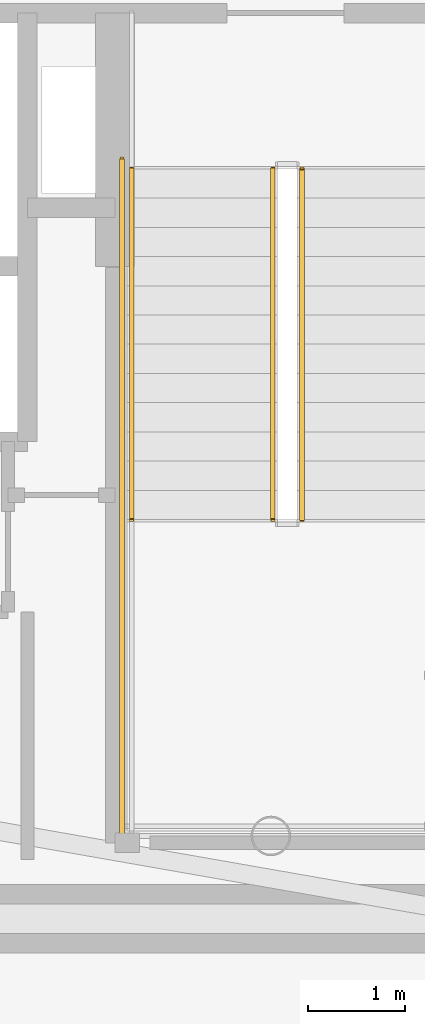
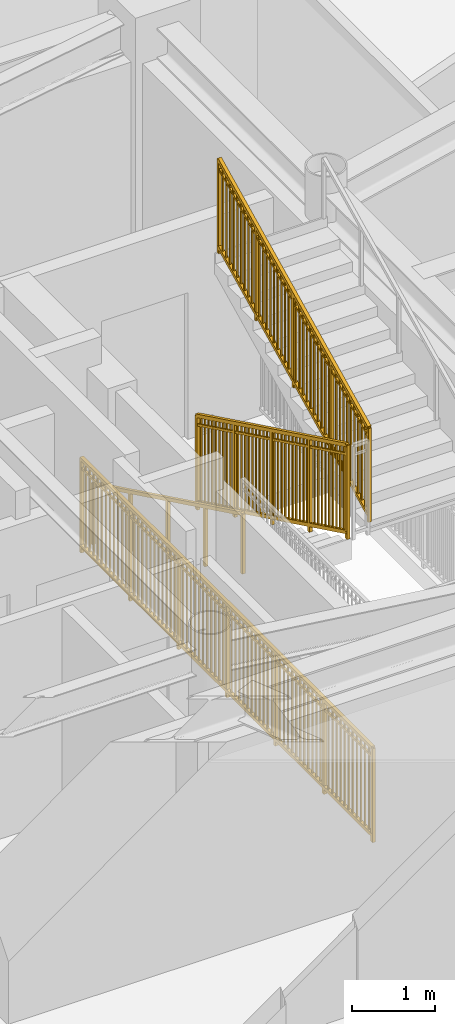
# One storey, part 13 of 17: 4 railings.
"""IFC4 building model written with IfcOpenShell, lengths in metres."""

from ifc_helpers import new_model, si_unit, direction, frame, origin, origin_2d, place, context, subcontext, project, spatial, rectangle, extrude, source, transform, mapped, material, type_object, element, save


model = new_model("IFC4")

# Units and contexts
model_context = context("Model", 3, precision=1e-05, world=origin(), true_north=direction((0.0, 1.0)))
body_context = subcontext(model_context, "Body", "Model", "MODEL_VIEW")
ifc_project = project(units=[si_unit("LENGTHUNIT", "METRE"), si_unit("AREAUNIT", "SQUARE_METRE"), si_unit("VOLUMEUNIT", "CUBIC_METRE"), si_unit("PLANEANGLEUNIT", "RADIAN"), si_unit("MASSUNIT", "GRAM", prefix="KILO")], contexts=[model_context])

# Site, building, storey
site_placement = place(None, origin())
site = spatial("IfcSite", under=ifc_project, at=site_placement, CompositionType="ELEMENT")
building_placement = place(site_placement, origin())
building = spatial("IfcBuilding", under=site, at=building_placement, Name="Linh Dai School and Residence Tower", CompositionType="ELEMENT")
storey_placement = place(building_placement, frame((0.0, 0.0, 324.0)))
storey = spatial("IfcBuildingStorey", under=building, at=storey_placement, Name="L80", CompositionType="ELEMENT", Elevation=324.0)

# Railings
ifc_material_1 = material(Name="Structural Steel S355JR", Category="steel")
railing_type_1 = type_object("IfcRailingType", Name="RL-ST-GUARD-1400", PredefinedType="GUARDRAIL", material=ifc_material_1)
shared_shape_1 = source(origin(), body_context, "Body", "SweptSolid", [
    extrude(rectangle(XDim=0.048095703125, YDim=0.048095703125, at=origin_2d()), frame((0.0, 0.0, 1.3759765625), z_axis=(0.0, 0.898988637874, 0.437971949985), x_axis=(-1.0, 0.0, 0.0)), (0.0, 0.0, 1.0), 4.004638671875),
    extrude(rectangle(XDim=0.048095703125, YDim=0.048095703125, at=origin_2d()), frame((0.0, 0.0, 0.10009765625), z_axis=(0.0, 0.898988637874, 0.437971949985), x_axis=(-1.0, 0.0, 0.0)), (0.0, 0.0, 1.0), 4.004638671875),
    extrude(rectangle(XDim=0.030029296875, YDim=0.030029296875, at=origin_2d()), frame((0.0, 0.0, 1.239990234375), z_axis=(0.0, 0.898988637874, 0.437971949985), x_axis=(-1.0, 0.0, 0.0)), (0.0, 0.0, 1.0), 4.004638671875),
    extrude(rectangle(XDim=0.02001953125, YDim=0.02001953125, at=origin_2d()), frame((0.0, 0.087890625, 0.142822265625)), (0.0, 0.0, 1.0), 1.251708984375),
    extrude(rectangle(XDim=0.02001953125, YDim=0.02001953125, at=origin_2d()), frame((0.0, 0.175537109375, 0.185546875)), (0.0, 0.0, 1.0), 1.251708984375),
    extrude(rectangle(XDim=0.02001953125, YDim=0.02001953125, at=origin_2d()), frame((0.0, 0.263427734375, 0.228515625)), (0.0, 0.0, 1.0), 1.251708984375),
    extrude(rectangle(XDim=0.02001953125, YDim=0.02001953125, at=origin_2d()), frame((0.0, 0.351318359375, 0.271240234375)), (0.0, 0.0, 1.0), 1.251708984375),
    extrude(rectangle(XDim=0.02001953125, YDim=0.02001953125, at=origin_2d()), frame((0.0, 0.43896484375, 0.31396484375)), (0.0, 0.0, 1.0), 1.251708984375),
    extrude(rectangle(XDim=0.02001953125, YDim=0.02001953125, at=origin_2d()), frame((0.0, 0.52685546875, 0.356689453125)), (0.0, 0.0, 1.0), 1.251708984375),
    extrude(rectangle(XDim=0.02001953125, YDim=0.02001953125, at=origin_2d()), frame((0.0, 0.61474609375, 0.399658203125)), (0.0, 0.0, 1.0), 1.251708984375),
    extrude(rectangle(XDim=0.02001953125, YDim=0.02001953125, at=origin_2d()), frame((0.0, 0.702392578125, 0.4423828125)), (0.0, 0.0, 1.0), 1.251708984375),
    extrude(rectangle(XDim=0.02001953125, YDim=0.02001953125, at=origin_2d()), frame((0.0, 0.790283203125, 0.485107421875)), (0.0, 0.0, 1.0), 1.251708984375),
    extrude(rectangle(XDim=0.02001953125, YDim=0.02001953125, at=origin_2d()), frame((0.0, 0.9658203125, 0.570556640625)), (0.0, 0.0, 1.0), 1.251708984375),
    extrude(rectangle(XDim=0.02001953125, YDim=0.02001953125, at=origin_2d()), frame((0.0, 1.0537109375, 0.613525390625)), (0.0, 0.0, 1.0), 1.251708984375),
    extrude(rectangle(XDim=0.02001953125, YDim=0.02001953125, at=origin_2d()), frame((0.0, 1.1416015625, 0.65625)), (0.0, 0.0, 1.0), 1.251708984375),
    extrude(rectangle(XDim=0.02001953125, YDim=0.02001953125, at=origin_2d()), frame((0.0, 1.229248046875, 0.698974609375)), (0.0, 0.0, 1.0), 1.251708984375),
    extrude(rectangle(XDim=0.02001953125, YDim=0.02001953125, at=origin_2d()), frame((0.0, 1.317138671875, 0.74169921875)), (0.0, 0.0, 1.0), 1.251708984375),
    extrude(rectangle(XDim=0.02001953125, YDim=0.02001953125, at=origin_2d()), frame((0.0, 1.405029296875, 0.78466796875)), (0.0, 0.0, 1.0), 1.251708984375),
    extrude(rectangle(XDim=0.02001953125, YDim=0.02001953125, at=origin_2d()), frame((0.0, 1.49267578125, 0.827392578125)), (0.0, 0.0, 1.0), 1.251708984375),
    extrude(rectangle(XDim=0.02001953125, YDim=0.02001953125, at=origin_2d()), frame((0.0, 1.58056640625, 0.8701171875)), (0.0, 0.0, 1.0), 1.251708984375),
    extrude(rectangle(XDim=0.02001953125, YDim=0.02001953125, at=origin_2d()), frame((0.0, 1.66845703125, 0.912841796875)), (0.0, 0.0, 1.0), 1.251708984375),
    extrude(rectangle(XDim=0.02001953125, YDim=0.02001953125, at=origin_2d()), frame((0.0, 1.756103515625, 0.95556640625)), (0.0, 0.0, 1.0), 1.251708984375),
    extrude(rectangle(XDim=0.02001953125, YDim=0.02001953125, at=origin_2d()), frame((0.0, 1.843994140625, 0.99853515625)), (0.0, 0.0, 1.0), 1.251708984375),
    extrude(rectangle(XDim=0.02001953125, YDim=0.02001953125, at=origin_2d()), frame((0.0, 1.931640625, 1.041259765625)), (0.0, 0.0, 1.0), 1.251708984375),
    extrude(rectangle(XDim=0.02001953125, YDim=0.02001953125, at=origin_2d()), frame((0.0, 2.01953125, 1.083984375)), (0.0, 0.0, 1.0), 1.251708984375),
    extrude(rectangle(XDim=0.02001953125, YDim=0.02001953125, at=origin_2d()), frame((0.0, 2.107421875, 1.126708984375)), (0.0, 0.0, 1.0), 1.251708984375),
    extrude(rectangle(XDim=0.02001953125, YDim=0.02001953125, at=origin_2d()), frame((0.0, 2.195068359375, 1.16943359375)), (0.0, 0.0, 1.0), 1.251708984375),
    extrude(rectangle(XDim=0.02001953125, YDim=0.02001953125, at=origin_2d()), frame((0.0, 2.282958984375, 1.21240234375)), (0.0, 0.0, 1.0), 1.251708984375),
    extrude(rectangle(XDim=0.02001953125, YDim=0.02001953125, at=origin_2d()), frame((0.0, 2.370849609375, 1.255126953125)), (0.0, 0.0, 1.0), 1.251708984375),
    extrude(rectangle(XDim=0.02001953125, YDim=0.02001953125, at=origin_2d()), frame((0.0, 2.45849609375, 1.2978515625)), (0.0, 0.0, 1.0), 1.251708984375),
    extrude(rectangle(XDim=0.02001953125, YDim=0.02001953125, at=origin_2d()), frame((0.0, 2.54638671875, 1.340576171875)), (0.0, 0.0, 1.0), 1.251708984375),
    extrude(rectangle(XDim=0.02001953125, YDim=0.02001953125, at=origin_2d()), frame((0.0, 2.63427734375, 1.383544921875)), (0.0, 0.0, 1.0), 1.251708984375),
    extrude(rectangle(XDim=0.02001953125, YDim=0.02001953125, at=origin_2d()), frame((0.0, 2.809814453125, 1.468994140625)), (0.0, 0.0, 1.0), 1.251708984375),
    extrude(rectangle(XDim=0.02001953125, YDim=0.02001953125, at=origin_2d()), frame((0.0, 2.897705078125, 1.51171875)), (0.0, 0.0, 1.0), 1.251708984375),
    extrude(rectangle(XDim=0.02001953125, YDim=0.02001953125, at=origin_2d()), frame((0.0, 2.9853515625, 1.554443359375)), (0.0, 0.0, 1.0), 1.251708984375),
    extrude(rectangle(XDim=0.02001953125, YDim=0.02001953125, at=origin_2d()), frame((0.0, 3.0732421875, 1.597412109375)), (0.0, 0.0, 1.0), 1.251708984375),
    extrude(rectangle(XDim=0.02001953125, YDim=0.02001953125, at=origin_2d()), frame((0.0, 3.1611328125, 1.64013671875)), (0.0, 0.0, 1.0), 1.251708984375),
    extrude(rectangle(XDim=0.02001953125, YDim=0.02001953125, at=origin_2d()), frame((0.0, 3.248779296875, 1.682861328125)), (0.0, 0.0, 1.0), 1.251708984375),
    extrude(rectangle(XDim=0.02001953125, YDim=0.02001953125, at=origin_2d()), frame((0.0, 3.336669921875, 1.7255859375)), (0.0, 0.0, 1.0), 1.251708984375),
    extrude(rectangle(XDim=0.02001953125, YDim=0.02001953125, at=origin_2d()), frame((0.0, 3.424560546875, 1.7685546875)), (0.0, 0.0, 1.0), 1.251708984375),
    extrude(rectangle(XDim=0.02001953125, YDim=0.02001953125, at=origin_2d()), frame((0.0, 3.51220703125, 1.811279296875)), (0.0, 0.0, 1.0), 1.251708984375),
    extrude(rectangle(XDim=0.0419921875, YDim=0.0419921875, at=origin_2d()), origin(), (0.0, 0.0, 1.0), 1.3759765625),
    extrude(rectangle(XDim=0.0419921875, YDim=0.0419921875, at=origin_2d()), frame((0.0, 0.89990234375, 0.4384765625)), (0.0, 0.0, 1.0), 1.3759765625),
    extrude(rectangle(XDim=0.0419921875, YDim=0.0419921875, at=origin_2d()), frame((0.0, 1.800048828125, 0.876953125)), (0.0, 0.0, 1.0), 1.3759765625),
    extrude(rectangle(XDim=0.0419921875, YDim=0.0419921875, at=origin_2d()), frame((0.0, 2.7001953125, 1.3154296875)), (0.0, 0.0, 1.0), 1.3759765625),
    extrude(rectangle(XDim=0.0419921875, YDim=0.0419921875, at=origin_2d()), frame((0.0, 3.60009765625, 1.75390625)), (0.0, 0.0, 1.0), 1.3759765625),
])
railing_1_placement = place(storey_placement, frame((42.820068359375, 24.64990234375, 2.046142578125)))
element("IfcRailing", 1, at=railing_1_placement, inside=storey, type_object=railing_type_1, Name="L80 ST2 stair guard 6", PredefinedType="GUARDRAIL", context=body_context, shape_type="MappedRepresentation", body=[
    mapped(shared_shape_1, transform((0.0, 0.0, 0.0), x_axis=(1.0, 0.0, 0.0), y_axis=(0.0, 1.0, 0.0), z_axis=(0.0, 0.0, 1.0), scale=1.0)),
])
shared_shape_2 = source(origin(), body_context, "Body", "SweptSolid", [
    extrude(rectangle(XDim=0.048095703125, YDim=0.048095703125, at=origin_2d()), frame((0.0, 0.0, 1.3759765625), z_axis=(0.0, -0.899012640991, 0.437922677352), x_axis=(1.0, 0.0, 0.0)), (0.0, 0.0, 1.0), 4.00439453125),
    extrude(rectangle(XDim=0.048095703125, YDim=0.048095703125, at=origin_2d()), frame((0.0, 0.0, 0.10009765625), z_axis=(0.0, -0.899012640991, 0.437922677352), x_axis=(1.0, 0.0, 0.0)), (0.0, 0.0, 1.0), 4.00439453125),
    extrude(rectangle(XDim=0.030029296875, YDim=0.030029296875, at=origin_2d()), frame((0.0, 0.0, 1.239990234375), z_axis=(0.0, -0.899012640991, 0.437922677352), x_axis=(1.0, 0.0, 0.0)), (0.0, 0.0, 1.0), 4.00439453125),
    extrude(rectangle(XDim=0.02001953125, YDim=0.02001953125, at=origin_2d()), frame((0.0, -0.087890625, 0.142822265625)), (0.0, 0.0, 1.0), 1.251708984375),
    extrude(rectangle(XDim=0.02001953125, YDim=0.02001953125, at=origin_2d()), frame((0.0, -0.175537109375, 0.185546875)), (0.0, 0.0, 1.0), 1.251708984375),
    extrude(rectangle(XDim=0.02001953125, YDim=0.02001953125, at=origin_2d()), frame((0.0, -0.263427734375, 0.228515625)), (0.0, 0.0, 1.0), 1.251708984375),
    extrude(rectangle(XDim=0.02001953125, YDim=0.02001953125, at=origin_2d()), frame((0.0, -0.351318359375, 0.271240234375)), (0.0, 0.0, 1.0), 1.251708984375),
    extrude(rectangle(XDim=0.02001953125, YDim=0.02001953125, at=origin_2d()), frame((0.0, -0.43896484375, 0.31396484375)), (0.0, 0.0, 1.0), 1.251708984375),
    extrude(rectangle(XDim=0.02001953125, YDim=0.02001953125, at=origin_2d()), frame((0.0, -0.52685546875, 0.356689453125)), (0.0, 0.0, 1.0), 1.251708984375),
    extrude(rectangle(XDim=0.02001953125, YDim=0.02001953125, at=origin_2d()), frame((0.0, -0.61474609375, 0.3994140625)), (0.0, 0.0, 1.0), 1.251708984375),
    extrude(rectangle(XDim=0.02001953125, YDim=0.02001953125, at=origin_2d()), frame((0.0, -0.702392578125, 0.4423828125)), (0.0, 0.0, 1.0), 1.251708984375),
    extrude(rectangle(XDim=0.02001953125, YDim=0.02001953125, at=origin_2d()), frame((0.0, -0.790283203125, 0.485107421875)), (0.0, 0.0, 1.0), 1.251708984375),
    extrude(rectangle(XDim=0.02001953125, YDim=0.02001953125, at=origin_2d()), frame((0.0, -0.9658203125, 0.570556640625)), (0.0, 0.0, 1.0), 1.251708984375),
    extrude(rectangle(XDim=0.02001953125, YDim=0.02001953125, at=origin_2d()), frame((0.0, -1.0537109375, 0.61328125)), (0.0, 0.0, 1.0), 1.251708984375),
    extrude(rectangle(XDim=0.02001953125, YDim=0.02001953125, at=origin_2d()), frame((0.0, -1.1416015625, 0.65625)), (0.0, 0.0, 1.0), 1.251708984375),
    extrude(rectangle(XDim=0.02001953125, YDim=0.02001953125, at=origin_2d()), frame((0.0, -1.229248046875, 0.698974609375)), (0.0, 0.0, 1.0), 1.251708984375),
    extrude(rectangle(XDim=0.02001953125, YDim=0.02001953125, at=origin_2d()), frame((0.0, -1.317138671875, 0.74169921875)), (0.0, 0.0, 1.0), 1.251708984375),
    extrude(rectangle(XDim=0.02001953125, YDim=0.02001953125, at=origin_2d()), frame((0.0, -1.405029296875, 0.784423828125)), (0.0, 0.0, 1.0), 1.251708984375),
    extrude(rectangle(XDim=0.02001953125, YDim=0.02001953125, at=origin_2d()), frame((0.0, -1.49267578125, 0.8271484375)), (0.0, 0.0, 1.0), 1.251708984375),
    extrude(rectangle(XDim=0.02001953125, YDim=0.02001953125, at=origin_2d()), frame((0.0, -1.58056640625, 0.8701171875)), (0.0, 0.0, 1.0), 1.251708984375),
    extrude(rectangle(XDim=0.02001953125, YDim=0.02001953125, at=origin_2d()), frame((0.0, -1.66845703125, 0.912841796875)), (0.0, 0.0, 1.0), 1.251708984375),
    extrude(rectangle(XDim=0.02001953125, YDim=0.02001953125, at=origin_2d()), frame((0.0, -1.756103515625, 0.95556640625)), (0.0, 0.0, 1.0), 1.251708984375),
    extrude(rectangle(XDim=0.02001953125, YDim=0.02001953125, at=origin_2d()), frame((0.0, -1.843994140625, 0.998291015625)), (0.0, 0.0, 1.0), 1.251708984375),
    extrude(rectangle(XDim=0.02001953125, YDim=0.02001953125, at=origin_2d()), frame((0.0, -1.931640625, 1.041015625)), (0.0, 0.0, 1.0), 1.251708984375),
    extrude(rectangle(XDim=0.02001953125, YDim=0.02001953125, at=origin_2d()), frame((0.0, -2.01953125, 1.083740234375)), (0.0, 0.0, 1.0), 1.251708984375),
    extrude(rectangle(XDim=0.02001953125, YDim=0.02001953125, at=origin_2d()), frame((0.0, -2.107421875, 1.126708984375)), (0.0, 0.0, 1.0), 1.251708984375),
    extrude(rectangle(XDim=0.02001953125, YDim=0.02001953125, at=origin_2d()), frame((0.0, -2.195068359375, 1.16943359375)), (0.0, 0.0, 1.0), 1.251708984375),
    extrude(rectangle(XDim=0.02001953125, YDim=0.02001953125, at=origin_2d()), frame((0.0, -2.282958984375, 1.212158203125)), (0.0, 0.0, 1.0), 1.251708984375),
    extrude(rectangle(XDim=0.02001953125, YDim=0.02001953125, at=origin_2d()), frame((0.0, -2.370849609375, 1.2548828125)), (0.0, 0.0, 1.0), 1.251708984375),
    extrude(rectangle(XDim=0.02001953125, YDim=0.02001953125, at=origin_2d()), frame((0.0, -2.45849609375, 1.297607421875)), (0.0, 0.0, 1.0), 1.251708984375),
    extrude(rectangle(XDim=0.02001953125, YDim=0.02001953125, at=origin_2d()), frame((0.0, -2.54638671875, 1.340576171875)), (0.0, 0.0, 1.0), 1.251708984375),
    extrude(rectangle(XDim=0.02001953125, YDim=0.02001953125, at=origin_2d()), frame((0.0, -2.63427734375, 1.38330078125)), (0.0, 0.0, 1.0), 1.251708984375),
    extrude(rectangle(XDim=0.02001953125, YDim=0.02001953125, at=origin_2d()), frame((0.0, -2.809814453125, 1.46875)), (0.0, 0.0, 1.0), 1.251708984375),
    extrude(rectangle(XDim=0.02001953125, YDim=0.02001953125, at=origin_2d()), frame((0.0, -2.897705078125, 1.511474609375)), (0.0, 0.0, 1.0), 1.251708984375),
    extrude(rectangle(XDim=0.02001953125, YDim=0.02001953125, at=origin_2d()), frame((0.0, -2.9853515625, 1.554443359375)), (0.0, 0.0, 1.0), 1.251708984375),
    extrude(rectangle(XDim=0.02001953125, YDim=0.02001953125, at=origin_2d()), frame((0.0, -3.0732421875, 1.59716796875)), (0.0, 0.0, 1.0), 1.251708984375),
    extrude(rectangle(XDim=0.02001953125, YDim=0.02001953125, at=origin_2d()), frame((0.0, -3.1611328125, 1.639892578125)), (0.0, 0.0, 1.0), 1.251708984375),
    extrude(rectangle(XDim=0.02001953125, YDim=0.02001953125, at=origin_2d()), frame((0.0, -3.248779296875, 1.6826171875)), (0.0, 0.0, 1.0), 1.251708984375),
    extrude(rectangle(XDim=0.02001953125, YDim=0.02001953125, at=origin_2d()), frame((0.0, -3.336669921875, 1.725341796875)), (0.0, 0.0, 1.0), 1.251708984375),
    extrude(rectangle(XDim=0.02001953125, YDim=0.02001953125, at=origin_2d()), frame((0.0, -3.424560546875, 1.768310546875)), (0.0, 0.0, 1.0), 1.251708984375),
    extrude(rectangle(XDim=0.02001953125, YDim=0.02001953125, at=origin_2d()), frame((0.0, -3.51220703125, 1.81103515625)), (0.0, 0.0, 1.0), 1.251708984375),
    extrude(rectangle(XDim=0.0419921875, YDim=0.0419921875, at=origin_2d()), origin(), (0.0, 0.0, 1.0), 1.3759765625),
    extrude(rectangle(XDim=0.0419921875, YDim=0.0419921875, at=origin_2d()), frame((0.0, -0.89990234375, 0.4384765625)), (0.0, 0.0, 1.0), 1.3759765625),
    extrude(rectangle(XDim=0.0419921875, YDim=0.0419921875, at=origin_2d()), frame((0.0, -1.800048828125, 0.876953125)), (0.0, 0.0, 1.0), 1.3759765625),
    extrude(rectangle(XDim=0.0419921875, YDim=0.0419921875, at=origin_2d()), frame((0.0, -2.7001953125, 1.315185546875)), (0.0, 0.0, 1.0), 1.3759765625),
    extrude(rectangle(XDim=0.0419921875, YDim=0.0419921875, at=origin_2d()), frame((0.0, -3.60009765625, 1.753662109375)), (0.0, 0.0, 1.0), 1.3759765625),
])
railing_2_placement = place(storey_placement, frame((42.52001953125, 28.25, 0.146240234375)))
element("IfcRailing", 2, at=railing_2_placement, inside=storey, type_object=railing_type_1, Name="L80 ST2 stair guard 1", PredefinedType="GUARDRAIL", context=body_context, shape_type="MappedRepresentation", body=[
    mapped(shared_shape_2, transform((0.0, 0.0, 0.0), x_axis=(1.0, 0.0, 0.0), y_axis=(0.0, 1.0, 0.0), z_axis=(0.0, 0.0, 1.0), scale=1.0)),
])
ifc_material_2 = material(Name="Brushed Stainless Steel Handrail", Category="steel")
railing_type_2 = type_object("IfcRailingType", Name="RL-ST-HANDRAIL-900", PredefinedType="HANDRAIL", material=ifc_material_2)
shared_shape_3 = source(origin(), body_context, "Body", "SweptSolid", [
    extrude(rectangle(XDim=0.048095703125, YDim=0.048095703125, at=origin_2d()), frame((0.0, 0.0, 0.8759765625), z_axis=(0.0, -0.899012640991, 0.437922677352), x_axis=(1.0, 0.0, 0.0)), (0.0, 0.0, 1.0), 4.00439453125),
    extrude(rectangle(XDim=0.0419921875, YDim=0.0419921875, at=origin_2d()), origin(), (0.0, 0.0, 1.0), 0.8759765625),
    extrude(rectangle(XDim=0.0419921875, YDim=0.0419921875, at=origin_2d()), frame((0.0, -0.89990234375, 0.4384765625)), (0.0, 0.0, 1.0), 0.8759765625),
    extrude(rectangle(XDim=0.0419921875, YDim=0.0419921875, at=origin_2d()), frame((0.0, -1.800048828125, 0.876953125)), (0.0, 0.0, 1.0), 0.8759765625),
    extrude(rectangle(XDim=0.0419921875, YDim=0.0419921875, at=origin_2d()), frame((0.0, -2.7001953125, 1.315185546875)), (0.0, 0.0, 1.0), 0.8759765625),
    extrude(rectangle(XDim=0.0419921875, YDim=0.0419921875, at=origin_2d()), frame((0.0, -3.60009765625, 1.753662109375)), (0.0, 0.0, 1.0), 0.8759765625),
])
railing_3_placement = place(storey_placement, frame((41.070068359375, 28.25, 0.146240234375)))
element("IfcRailing", 3, at=railing_3_placement, inside=storey, type_object=railing_type_2, Name="L80 ST2 stair handrail 1", PredefinedType="HANDRAIL", context=body_context, shape_type="MappedRepresentation", body=[
    mapped(shared_shape_3, transform((0.0, 0.0, 0.0), x_axis=(1.0, 0.0, 0.0), y_axis=(0.0, 1.0, 0.0), z_axis=(0.0, 0.0, 1.0), scale=1.0)),
])
shared_shape_4 = source(origin(), body_context, "Body", "SweptSolid", [
    extrude(rectangle(XDim=0.048095703125, YDim=0.048095703125, at=origin_2d()), frame((0.0, 0.0, 1.3759765625), z_axis=(0.0, -1.0, 0.0), x_axis=(1.0, 0.0, 0.0)), (0.0, 0.0, 1.0), 7.0),
    extrude(rectangle(XDim=0.048095703125, YDim=0.048095703125, at=origin_2d()), frame((0.0, 0.0, 0.10009765625), z_axis=(0.0, -1.0, 0.0), x_axis=(1.0, 0.0, 0.0)), (0.0, 0.0, 1.0), 7.0),
    extrude(rectangle(XDim=0.030029296875, YDim=0.030029296875, at=origin_2d()), frame((0.0, 0.0, 1.239990234375), z_axis=(0.0, -1.0, 0.0), x_axis=(1.0, 0.0, 0.0)), (0.0, 0.0, 1.0), 7.0),
    extrude(rectangle(XDim=0.02001953125, YDim=0.02001953125, at=origin_2d()), frame((0.0, -0.09716796875, 0.10009765625)), (0.0, 0.0, 1.0), 1.251708984375),
    extrude(rectangle(XDim=0.02001953125, YDim=0.02001953125, at=origin_2d()), frame((0.0, -0.1943359375, 0.10009765625)), (0.0, 0.0, 1.0), 1.251708984375),
    extrude(rectangle(XDim=0.02001953125, YDim=0.02001953125, at=origin_2d()), frame((0.0, -0.291748046875, 0.10009765625)), (0.0, 0.0, 1.0), 1.251708984375),
    extrude(rectangle(XDim=0.02001953125, YDim=0.02001953125, at=origin_2d()), frame((0.0, -0.388916015625, 0.10009765625)), (0.0, 0.0, 1.0), 1.251708984375),
    extrude(rectangle(XDim=0.02001953125, YDim=0.02001953125, at=origin_2d()), frame((0.0, -0.486083984375, 0.10009765625)), (0.0, 0.0, 1.0), 1.251708984375),
    extrude(rectangle(XDim=0.02001953125, YDim=0.02001953125, at=origin_2d()), frame((0.0, -0.583251953125, 0.10009765625)), (0.0, 0.0, 1.0), 1.251708984375),
    extrude(rectangle(XDim=0.02001953125, YDim=0.02001953125, at=origin_2d()), frame((0.0, -0.6806640625, 0.10009765625)), (0.0, 0.0, 1.0), 1.251708984375),
    extrude(rectangle(XDim=0.02001953125, YDim=0.02001953125, at=origin_2d()), frame((0.0, -0.77783203125, 0.10009765625)), (0.0, 0.0, 1.0), 1.251708984375),
    extrude(rectangle(XDim=0.02001953125, YDim=0.02001953125, at=origin_2d()), frame((0.0, -0.875, 0.10009765625)), (0.0, 0.0, 1.0), 1.251708984375),
    extrude(rectangle(XDim=0.02001953125, YDim=0.02001953125, at=origin_2d()), frame((0.0, -0.97216796875, 0.10009765625)), (0.0, 0.0, 1.0), 1.251708984375),
    extrude(rectangle(XDim=0.02001953125, YDim=0.02001953125, at=origin_2d()), frame((0.0, -1.0693359375, 0.10009765625)), (0.0, 0.0, 1.0), 1.251708984375),
    extrude(rectangle(XDim=0.02001953125, YDim=0.02001953125, at=origin_2d()), frame((0.0, -1.263916015625, 0.10009765625)), (0.0, 0.0, 1.0), 1.251708984375),
    extrude(rectangle(XDim=0.02001953125, YDim=0.02001953125, at=origin_2d()), frame((0.0, -1.361083984375, 0.10009765625)), (0.0, 0.0, 1.0), 1.251708984375),
    extrude(rectangle(XDim=0.02001953125, YDim=0.02001953125, at=origin_2d()), frame((0.0, -1.458251953125, 0.10009765625)), (0.0, 0.0, 1.0), 1.251708984375),
    extrude(rectangle(XDim=0.02001953125, YDim=0.02001953125, at=origin_2d()), frame((0.0, -1.5556640625, 0.10009765625)), (0.0, 0.0, 1.0), 1.251708984375),
    extrude(rectangle(XDim=0.02001953125, YDim=0.02001953125, at=origin_2d()), frame((0.0, -1.65283203125, 0.10009765625)), (0.0, 0.0, 1.0), 1.251708984375),
    extrude(rectangle(XDim=0.02001953125, YDim=0.02001953125, at=origin_2d()), frame((0.0, -1.75, 0.10009765625)), (0.0, 0.0, 1.0), 1.251708984375),
    extrude(rectangle(XDim=0.02001953125, YDim=0.02001953125, at=origin_2d()), frame((0.0, -1.84716796875, 0.10009765625)), (0.0, 0.0, 1.0), 1.251708984375),
    extrude(rectangle(XDim=0.02001953125, YDim=0.02001953125, at=origin_2d()), frame((0.0, -1.9443359375, 0.10009765625)), (0.0, 0.0, 1.0), 1.251708984375),
    extrude(rectangle(XDim=0.02001953125, YDim=0.02001953125, at=origin_2d()), frame((0.0, -2.041748046875, 0.10009765625)), (0.0, 0.0, 1.0), 1.251708984375),
    extrude(rectangle(XDim=0.02001953125, YDim=0.02001953125, at=origin_2d()), frame((0.0, -2.138916015625, 0.10009765625)), (0.0, 0.0, 1.0), 1.251708984375),
    extrude(rectangle(XDim=0.02001953125, YDim=0.02001953125, at=origin_2d()), frame((0.0, -2.236083984375, 0.10009765625)), (0.0, 0.0, 1.0), 1.251708984375),
    extrude(rectangle(XDim=0.02001953125, YDim=0.02001953125, at=origin_2d()), frame((0.0, -2.4306640625, 0.10009765625)), (0.0, 0.0, 1.0), 1.251708984375),
    extrude(rectangle(XDim=0.02001953125, YDim=0.02001953125, at=origin_2d()), frame((0.0, -2.52783203125, 0.10009765625)), (0.0, 0.0, 1.0), 1.251708984375),
    extrude(rectangle(XDim=0.02001953125, YDim=0.02001953125, at=origin_2d()), frame((0.0, -2.625, 0.10009765625)), (0.0, 0.0, 1.0), 1.251708984375),
    extrude(rectangle(XDim=0.02001953125, YDim=0.02001953125, at=origin_2d()), frame((0.0, -2.72216796875, 0.10009765625)), (0.0, 0.0, 1.0), 1.251708984375),
    extrude(rectangle(XDim=0.02001953125, YDim=0.02001953125, at=origin_2d()), frame((0.0, -2.8193359375, 0.10009765625)), (0.0, 0.0, 1.0), 1.251708984375),
    extrude(rectangle(XDim=0.02001953125, YDim=0.02001953125, at=origin_2d()), frame((0.0, -2.916748046875, 0.10009765625)), (0.0, 0.0, 1.0), 1.251708984375),
    extrude(rectangle(XDim=0.02001953125, YDim=0.02001953125, at=origin_2d()), frame((0.0, -3.013916015625, 0.10009765625)), (0.0, 0.0, 1.0), 1.251708984375),
    extrude(rectangle(XDim=0.02001953125, YDim=0.02001953125, at=origin_2d()), frame((0.0, -3.111083984375, 0.10009765625)), (0.0, 0.0, 1.0), 1.251708984375),
    extrude(rectangle(XDim=0.02001953125, YDim=0.02001953125, at=origin_2d()), frame((0.0, -3.208251953125, 0.10009765625)), (0.0, 0.0, 1.0), 1.251708984375),
    extrude(rectangle(XDim=0.02001953125, YDim=0.02001953125, at=origin_2d()), frame((0.0, -3.3056640625, 0.10009765625)), (0.0, 0.0, 1.0), 1.251708984375),
    extrude(rectangle(XDim=0.02001953125, YDim=0.02001953125, at=origin_2d()), frame((0.0, -3.40283203125, 0.10009765625)), (0.0, 0.0, 1.0), 1.251708984375),
    extrude(rectangle(XDim=0.02001953125, YDim=0.02001953125, at=origin_2d()), frame((0.0, -3.59716796875, 0.10009765625)), (0.0, 0.0, 1.0), 1.251708984375),
    extrude(rectangle(XDim=0.02001953125, YDim=0.02001953125, at=origin_2d()), frame((0.0, -3.6943359375, 0.10009765625)), (0.0, 0.0, 1.0), 1.251708984375),
    extrude(rectangle(XDim=0.02001953125, YDim=0.02001953125, at=origin_2d()), frame((0.0, -3.791748046875, 0.10009765625)), (0.0, 0.0, 1.0), 1.251708984375),
    extrude(rectangle(XDim=0.02001953125, YDim=0.02001953125, at=origin_2d()), frame((0.0, -3.888916015625, 0.10009765625)), (0.0, 0.0, 1.0), 1.251708984375),
    extrude(rectangle(XDim=0.02001953125, YDim=0.02001953125, at=origin_2d()), frame((0.0, -3.986083984375, 0.10009765625)), (0.0, 0.0, 1.0), 1.251708984375),
    extrude(rectangle(XDim=0.02001953125, YDim=0.02001953125, at=origin_2d()), frame((0.0, -4.083251953125, 0.10009765625)), (0.0, 0.0, 1.0), 1.251708984375),
    extrude(rectangle(XDim=0.02001953125, YDim=0.02001953125, at=origin_2d()), frame((0.0, -4.1806640625, 0.10009765625)), (0.0, 0.0, 1.0), 1.251708984375),
    extrude(rectangle(XDim=0.02001953125, YDim=0.02001953125, at=origin_2d()), frame((0.0, -4.27783203125, 0.10009765625)), (0.0, 0.0, 1.0), 1.251708984375),
    extrude(rectangle(XDim=0.02001953125, YDim=0.02001953125, at=origin_2d()), frame((0.0, -4.375, 0.10009765625)), (0.0, 0.0, 1.0), 1.251708984375),
    extrude(rectangle(XDim=0.02001953125, YDim=0.02001953125, at=origin_2d()), frame((0.0, -4.47216796875, 0.10009765625)), (0.0, 0.0, 1.0), 1.251708984375),
    extrude(rectangle(XDim=0.02001953125, YDim=0.02001953125, at=origin_2d()), frame((0.0, -4.5693359375, 0.10009765625)), (0.0, 0.0, 1.0), 1.251708984375),
    extrude(rectangle(XDim=0.02001953125, YDim=0.02001953125, at=origin_2d()), frame((0.0, -4.763916015625, 0.10009765625)), (0.0, 0.0, 1.0), 1.251708984375),
    extrude(rectangle(XDim=0.02001953125, YDim=0.02001953125, at=origin_2d()), frame((0.0, -4.861083984375, 0.10009765625)), (0.0, 0.0, 1.0), 1.251708984375),
    extrude(rectangle(XDim=0.02001953125, YDim=0.02001953125, at=origin_2d()), frame((0.0, -4.958251953125, 0.10009765625)), (0.0, 0.0, 1.0), 1.251708984375),
    extrude(rectangle(XDim=0.02001953125, YDim=0.02001953125, at=origin_2d()), frame((0.0, -5.0556640625, 0.10009765625)), (0.0, 0.0, 1.0), 1.251708984375),
    extrude(rectangle(XDim=0.02001953125, YDim=0.02001953125, at=origin_2d()), frame((0.0, -5.15283203125, 0.10009765625)), (0.0, 0.0, 1.0), 1.251708984375),
    extrude(rectangle(XDim=0.02001953125, YDim=0.02001953125, at=origin_2d()), frame((0.0, -5.25, 0.10009765625)), (0.0, 0.0, 1.0), 1.251708984375),
    extrude(rectangle(XDim=0.02001953125, YDim=0.02001953125, at=origin_2d()), frame((0.0, -5.34716796875, 0.10009765625)), (0.0, 0.0, 1.0), 1.251708984375),
    extrude(rectangle(XDim=0.02001953125, YDim=0.02001953125, at=origin_2d()), frame((0.0, -5.4443359375, 0.10009765625)), (0.0, 0.0, 1.0), 1.251708984375),
    extrude(rectangle(XDim=0.02001953125, YDim=0.02001953125, at=origin_2d()), frame((0.0, -5.541748046875, 0.10009765625)), (0.0, 0.0, 1.0), 1.251708984375),
    extrude(rectangle(XDim=0.02001953125, YDim=0.02001953125, at=origin_2d()), frame((0.0, -5.638916015625, 0.10009765625)), (0.0, 0.0, 1.0), 1.251708984375),
    extrude(rectangle(XDim=0.02001953125, YDim=0.02001953125, at=origin_2d()), frame((0.0, -5.736083984375, 0.10009765625)), (0.0, 0.0, 1.0), 1.251708984375),
    extrude(rectangle(XDim=0.02001953125, YDim=0.02001953125, at=origin_2d()), frame((0.0, -5.9306640625, 0.10009765625)), (0.0, 0.0, 1.0), 1.251708984375),
    extrude(rectangle(XDim=0.02001953125, YDim=0.02001953125, at=origin_2d()), frame((0.0, -6.02783203125, 0.10009765625)), (0.0, 0.0, 1.0), 1.251708984375),
    extrude(rectangle(XDim=0.02001953125, YDim=0.02001953125, at=origin_2d()), frame((0.0, -6.125, 0.10009765625)), (0.0, 0.0, 1.0), 1.251708984375),
    extrude(rectangle(XDim=0.02001953125, YDim=0.02001953125, at=origin_2d()), frame((0.0, -6.22216796875, 0.10009765625)), (0.0, 0.0, 1.0), 1.251708984375),
    extrude(rectangle(XDim=0.02001953125, YDim=0.02001953125, at=origin_2d()), frame((0.0, -6.3193359375, 0.10009765625)), (0.0, 0.0, 1.0), 1.251708984375),
    extrude(rectangle(XDim=0.02001953125, YDim=0.02001953125, at=origin_2d()), frame((0.0, -6.416748046875, 0.10009765625)), (0.0, 0.0, 1.0), 1.251708984375),
    extrude(rectangle(XDim=0.02001953125, YDim=0.02001953125, at=origin_2d()), frame((0.0, -6.513916015625, 0.10009765625)), (0.0, 0.0, 1.0), 1.251708984375),
    extrude(rectangle(XDim=0.02001953125, YDim=0.02001953125, at=origin_2d()), frame((0.0, -6.611083984375, 0.10009765625)), (0.0, 0.0, 1.0), 1.251708984375),
    extrude(rectangle(XDim=0.02001953125, YDim=0.02001953125, at=origin_2d()), frame((0.0, -6.708251953125, 0.10009765625)), (0.0, 0.0, 1.0), 1.251708984375),
    extrude(rectangle(XDim=0.02001953125, YDim=0.02001953125, at=origin_2d()), frame((0.0, -6.8056640625, 0.10009765625)), (0.0, 0.0, 1.0), 1.251708984375),
    extrude(rectangle(XDim=0.02001953125, YDim=0.02001953125, at=origin_2d()), frame((0.0, -6.90283203125, 0.10009765625)), (0.0, 0.0, 1.0), 1.251708984375),
    extrude(rectangle(XDim=0.0419921875, YDim=0.0419921875, at=origin_2d()), origin(), (0.0, 0.0, 1.0), 1.3759765625),
    extrude(rectangle(XDim=0.0419921875, YDim=0.0419921875, at=origin_2d()), frame((0.0, -1.166748046875, 0.0)), (0.0, 0.0, 1.0), 1.3759765625),
    extrude(rectangle(XDim=0.0419921875, YDim=0.0419921875, at=origin_2d()), frame((0.0, -2.333251953125, 0.0)), (0.0, 0.0, 1.0), 1.3759765625),
    extrude(rectangle(XDim=0.0419921875, YDim=0.0419921875, at=origin_2d()), frame((0.0, -3.5, 0.0)), (0.0, 0.0, 1.0), 1.3759765625),
    extrude(rectangle(XDim=0.0419921875, YDim=0.0419921875, at=origin_2d()), frame((0.0, -4.666748046875, 0.0)), (0.0, 0.0, 1.0), 1.3759765625),
    extrude(rectangle(XDim=0.0419921875, YDim=0.0419921875, at=origin_2d()), frame((0.0, -5.833251953125, 0.0)), (0.0, 0.0, 1.0), 1.3759765625),
    extrude(rectangle(XDim=0.0419921875, YDim=0.0419921875, at=origin_2d()), frame((0.0, -7.0, 0.0)), (0.0, 0.0, 1.0), 1.3759765625),
])
railing_4_placement = place(storey_placement, frame((40.969970703125, 28.35009765625, 0.0)))
element("IfcRailing", 4, at=railing_4_placement, inside=storey, type_object=railing_type_1, Name="L80 ST2 stair guard 10", PredefinedType="GUARDRAIL", context=body_context, shape_type="MappedRepresentation", body=[
    mapped(shared_shape_4, transform((0.0, 0.0, 0.0), x_axis=(1.0, 0.0, 0.0), y_axis=(0.0, 1.0, 0.0), z_axis=(0.0, 0.0, 1.0), scale=1.0)),
])

save(model, "model.ifc")
